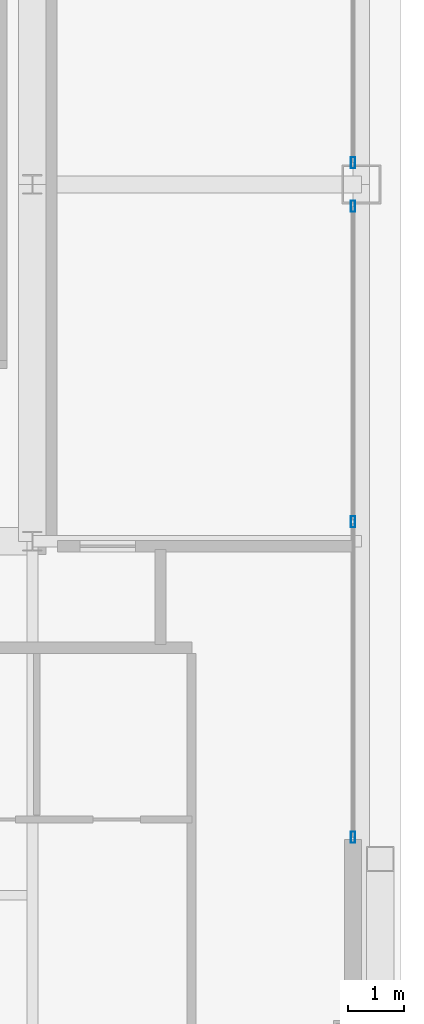
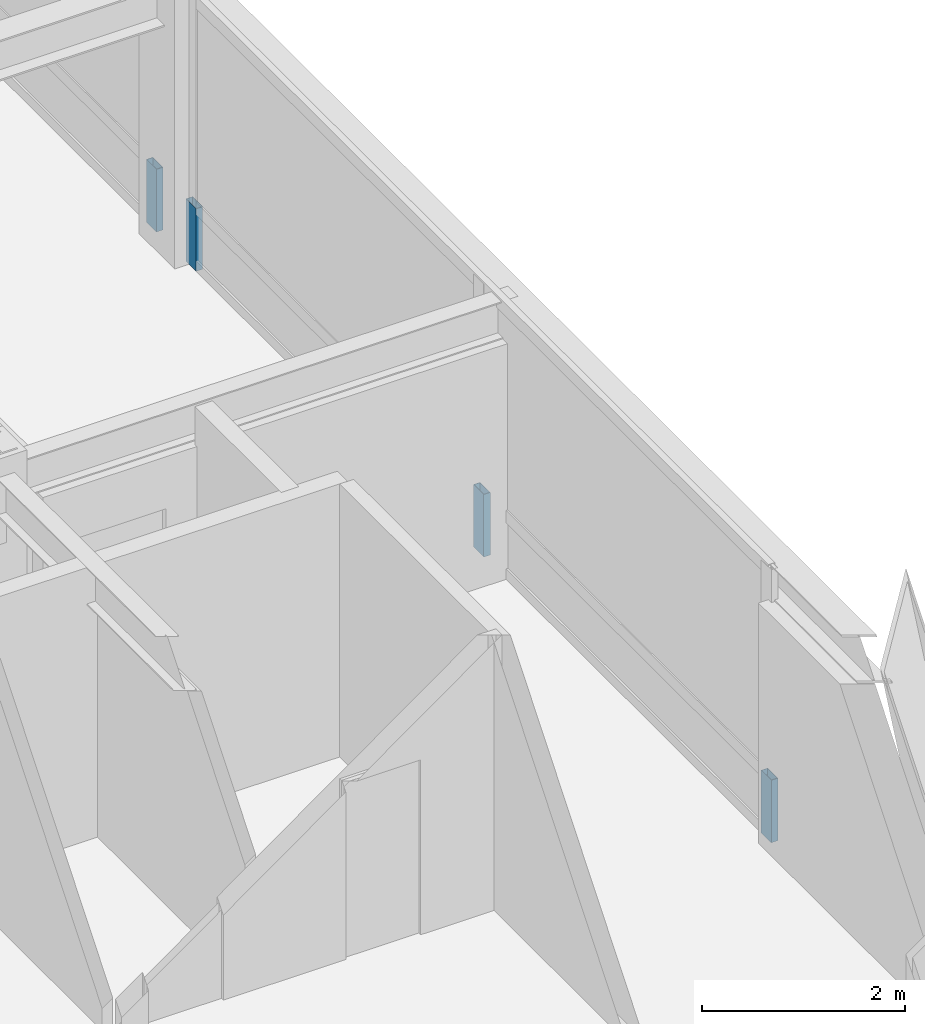
# One storey, part 24 of 35: 4 members, 2 elements without a shape of their own.
"""IFC4 building model written with IfcOpenShell, lengths in metres."""

from ifc_helpers import new_model, si_unit, direction, frame, origin, origin_2d, place, context, subcontext, project, spatial, hollow_rectangle, extrude, source, transform, mapped, material, layer, layer_set, material_profile, profile_set, type_object, element, aggregate, save


model = new_model("IFC4")

# Units and contexts
model_context = context("Model", 3, precision=1e-05, world=origin(), true_north=direction((0.0, 1.0)))
body_context = subcontext(model_context, "Body", "Model", "MODEL_VIEW")
ifc_project = project(units=[si_unit("LENGTHUNIT", "METRE"), si_unit("AREAUNIT", "SQUARE_METRE"), si_unit("VOLUMEUNIT", "CUBIC_METRE"), si_unit("PLANEANGLEUNIT", "RADIAN"), si_unit("MASSUNIT", "GRAM", prefix="KILO"), si_unit("THERMODYNAMICTEMPERATUREUNIT", "KELVIN"), si_unit("POWERUNIT", "WATT")], contexts=[model_context])

# Site, building, storey
site_placement = place(None, origin())
site = spatial("IfcSite", under=ifc_project, at=site_placement, CompositionType="ELEMENT")
building_placement = place(site_placement, origin())
building = spatial("IfcBuilding", under=site, at=building_placement, Name="Yuzanri Waterfront Tower", CompositionType="ELEMENT")
storey_placement = place(building_placement, frame((0.0, 0.0, 299.60009765625)))
storey = spatial("IfcBuildingStorey", under=building, at=storey_placement, Name="L80", CompositionType="ELEMENT", Elevation=299.60009765625)

# Curtain wall, members
ifc_material_1 = material(Name="Anodized Architectural Bronze", Category="metal")
ifc_layer = layer(ifc_material_1, 0.159912109375)
ifc_layer_set = layer_set([ifc_layer], Name="Anodized Architectural Bronze")
curtain_wall_type = type_object("IfcCurtainWallType", Name="Anodized Bronze High-Rise Penthouse High-Wind Unitized Curtain Wall 6900", PredefinedType="NOTDEFINED", material=ifc_layer_set)
curtain_wall_1_placement = place(storey_placement, origin())
curtain_wall_1 = element("IfcCurtainWall", 1, at=curtain_wall_1_placement, inside=storey, type_object=curtain_wall_type, Name="L80 Curtain Wall CW-L80-EL", PredefinedType="NOTDEFINED")
ifc_material_2 = material(Name="Anodized Architectural Bronze", Category="metal")
ifc_material_profile = material_profile(ifc_material_2, hollow_rectangle(XDim=0.074951171875, YDim=0.199951171875, WallThickness=0.00390625, at=origin_2d()), Name="CWM 75x200")
ifc_profile_set = profile_set([ifc_material_profile], Name="Anodized Architectural Bronze")
member_type = type_object("IfcMemberType", Name="Anodized Bronze Primary Curtain-Wall Mullion 75x200", PredefinedType="MULLION", material=ifc_profile_set)
shared_shape = source(origin(), body_context, "Body", "SweptSolid", [
    extrude(hollow_rectangle(XDim=0.074951171875, YDim=0.199951171875, WallThickness=0.00390625, at=origin_2d()), origin(), (0.0, 0.0, 1.0), 0.751953125),
])
member_1_placement = place(storey_placement, frame((55.949951171875, 14.090087890625, 0.0), z_axis=(0.0, 0.0, 1.0), x_axis=(1.0, 0.0, 0.0)))
member_1 = element("IfcMember", 2, at=member_1_placement, type_object=member_type, Name="CW-L80-EL Lower Mullion 00", PredefinedType="MULLION", context=body_context, shape_type="MappedRepresentation", body=[
    mapped(shared_shape, transform((0.0, 0.0, 0.0), scale=1.0)),
])
member_2_placement = place(storey_placement, frame((55.949951171875, 19.75, 0.0), z_axis=(0.0, 0.0, 1.0), x_axis=(1.0, 0.0, 0.0)))
member_2 = element("IfcMember", 3, at=member_2_placement, type_object=member_type, Name="CW-L80-EL Lower Mullion 01", PredefinedType="MULLION", context=body_context, shape_type="MappedRepresentation", body=[
    mapped(shared_shape, transform((0.0, 0.0, 0.0), scale=1.0)),
])
member_3_placement = place(storey_placement, frame((55.949951171875, 25.409912109375, 0.0), z_axis=(0.0, 0.0, 1.0), x_axis=(1.0, 0.0, 0.0)))
member_3 = element("IfcMember", 4, at=member_3_placement, type_object=member_type, Name="CW-L80-EL Lower Mullion 02", PredefinedType="MULLION", context=body_context, shape_type="MappedRepresentation", body=[
    mapped(shared_shape, transform((0.0, 0.0, 0.0), scale=1.0)),
])
aggregate(curtain_wall_1, [member_1, member_2, member_3])

# Curtain wall, member
curtain_wall_2_placement = place(storey_placement, origin())
curtain_wall_2 = element("IfcCurtainWall", 5, at=curtain_wall_2_placement, inside=storey, type_object=curtain_wall_type, Name="L80 Curtain Wall CW-L80-ER", PredefinedType="NOTDEFINED")
member_4_placement = place(storey_placement, frame((55.949951171875, 26.18994140625, 0.0), z_axis=(0.0, 0.0, 1.0), x_axis=(1.0, 0.0, 0.0)))
member_4 = element("IfcMember", 6, at=member_4_placement, type_object=member_type, Name="CW-L80-ER Lower Mullion 00", PredefinedType="MULLION", context=body_context, shape_type="MappedRepresentation", body=[
    mapped(shared_shape, transform((0.0, 0.0, 0.0), scale=1.0)),
])
aggregate(curtain_wall_2, [member_4])

save(model, "model.ifc")
